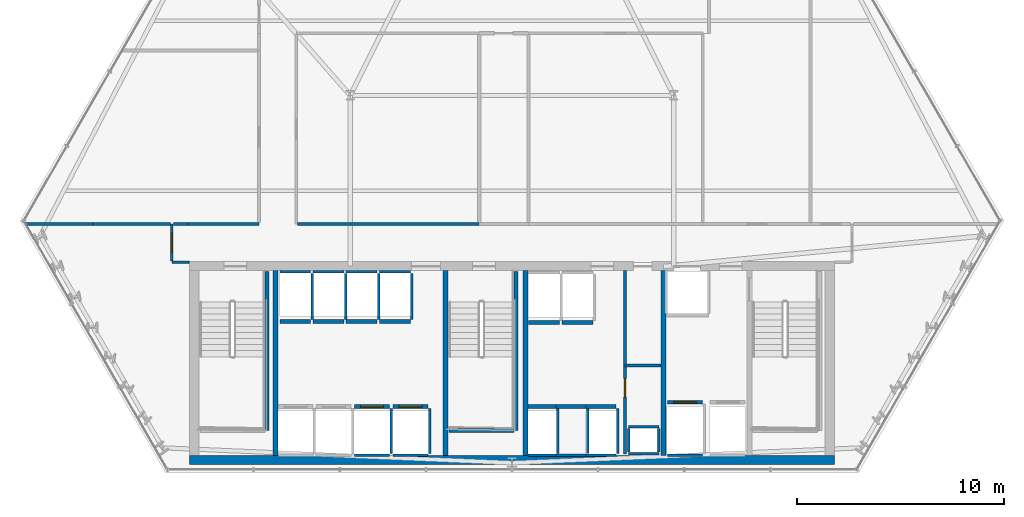
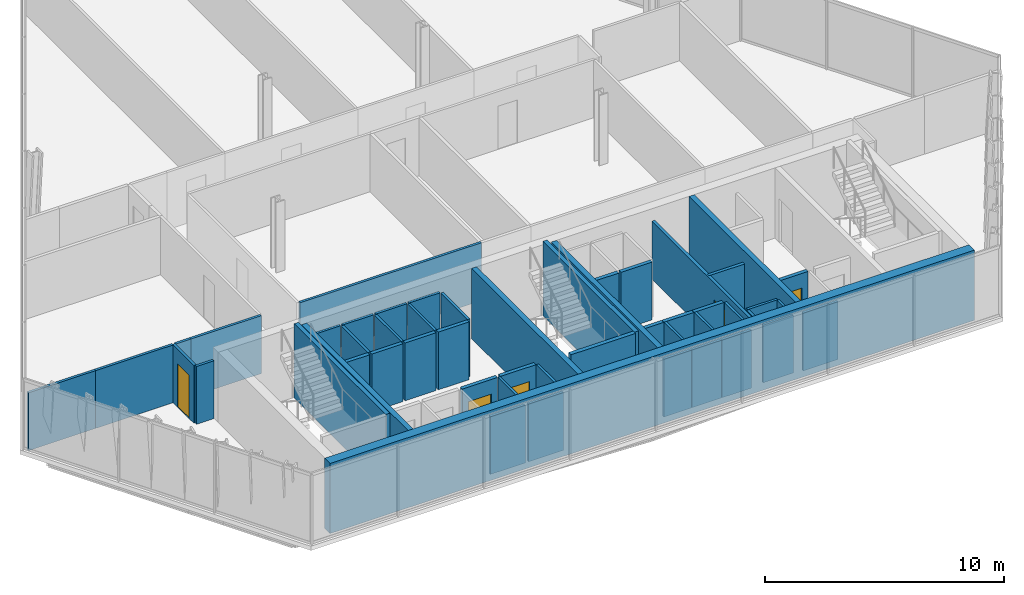
# One storey, part 27 of 32: 52 walls, 5 doors, 5 openings.
"""IFC4 building model written with IfcOpenShell, lengths in metres."""

import ifcopenshell
import ifcopenshell.guid

model = None  # the IFC model being written
_history = None  # IfcOwnerHistory: only IFC2X3 demands one
_inside = {}  # id of a spatial element -> (the spatial element, [elements in it])
_under = {}  # id of a project, library or spatial element -> (it, [spatial elements below it])
_declared = {}  # id of a project -> (the project, [libraries it declares])
_typed = {}  # id of a type object -> (the type object, [elements of that type])
_made_of = {}  # id of a material, layer set ... -> (it, [elements and type objects made of it])


def new_model(schema):
    """Start an empty IFC model of exactly this schema.

    Asked for "IFC4X3", IfcOpenShell would pick the latest addendum, in which some entities
    have other attributes; the version numbers below select the first issue.
    IFC2X3 requires an IfcOwnerHistory on every rooted entity: one is made here for all.
    """
    global model, _history
    if schema == "IFC4X3":
        model = ifcopenshell.file(schema_version=(4, 3, 0, 0))
    else:
        model = ifcopenshell.file(schema=schema)
    _inside.clear()
    _under.clear()
    _declared.clear()
    _typed.clear()
    _made_of.clear()
    _history = None
    if model.schema == "IFC2X3":
        org = make("IfcOrganization", Name="unknown")
        user = make(
            "IfcPersonAndOrganization",
            ThePerson=make("IfcPerson", FamilyName="unknown"),
            TheOrganization=org,
        )
        app = make(
            "IfcApplication",
            ApplicationDeveloper=org,
            Version="unknown",
            ApplicationFullName="unknown",
            ApplicationIdentifier="unknown",
        )
        _history = make(
            "IfcOwnerHistory",
            OwningUser=user,
            OwningApplication=app,
            ChangeAction="ADDED",
            CreationDate=0,
        )
    return model


def make(cls, **values):
    """One entity of the class cls with the attributes given. An attribute that is None is left unset."""
    return model.create_entity(
        cls, **{name: value for name, value in values.items() if value is not None}
    )


def rooted(cls, **values):
    """An entity with a GlobalId (a new one), such as an element, a storey or a relation."""
    return make(cls, GlobalId=ifcopenshell.guid.new(), OwnerHistory=_history, **values)


def si_unit(unit_type, name, prefix=None):
    """IfcSIUnit, for example si_unit("LENGTHUNIT", "METRE", prefix="MILLI")."""
    return make("IfcSIUnit", UnitType=unit_type, Prefix=prefix, Name=name)


def assignment(units):
    """IfcUnitAssignment: the units of a project."""
    return None if units is None else make("IfcUnitAssignment", Units=units)


def point(xyz):
    """IfcCartesianPoint."""
    return None if xyz is None else make("IfcCartesianPoint", Coordinates=xyz)


def direction(xyz):
    """IfcDirection."""
    return None if xyz is None else make("IfcDirection", DirectionRatios=xyz)


def frame(location, z_axis=None, x_axis=None):
    """IfcAxis2Placement3D, a coordinate frame: its origin and axes. An axis left out is left unset."""
    return make(
        "IfcAxis2Placement3D",
        Location=point(location),
        Axis=direction(z_axis),
        RefDirection=direction(x_axis),
    )


def frame_2d(location, x_axis=None):
    """IfcAxis2Placement2D, a coordinate frame in the plane: its origin and x axis."""
    return make(
        "IfcAxis2Placement2D", Location=point(location), RefDirection=direction(x_axis)
    )


def origin():
    """The frame at (0, 0, 0) with its axes left unset."""
    return frame((0.0, 0.0, 0.0))


def place(relative_to, where):
    """IfcLocalPlacement: puts the frame where relative to a parent placement (None: the world)."""
    return make(
        "IfcLocalPlacement", PlacementRelTo=relative_to, RelativePlacement=where
    )


def context(
    kind, dimensions, precision=None, world=None, true_north=None, identifier=None
):
    """IfcGeometricRepresentationContext, for example the 3D "Model" context."""
    return make(
        "IfcGeometricRepresentationContext",
        ContextIdentifier=identifier,
        ContextType=kind,
        CoordinateSpaceDimension=dimensions,
        Precision=precision,
        WorldCoordinateSystem=world,
        TrueNorth=true_north,
    )


def subcontext(parent, identifier, kind, view, scale=None):
    """IfcGeometricRepresentationSubContext, for example "Body" below "Model"."""
    return make(
        "IfcGeometricRepresentationSubContext",
        ContextIdentifier=identifier,
        ContextType=kind,
        ParentContext=parent,
        TargetScale=scale,
        TargetView=view,
    )


def project(units=None, contexts=None):
    """IfcProject with its units and contexts."""
    return rooted(
        "IfcProject",
        Name="project",
        RepresentationContexts=contexts,
        UnitsInContext=assignment(units),
    )


def spatial(cls, under=None, at=None, **own):
    """A site, building, storey or space (cls), placed at a placement, below another one or the project."""
    s = rooted(cls, ObjectPlacement=at, **own)
    if under is not None:
        _under.setdefault(under.id(), (under, []))[1].append(s)
    return s


def profile(cls, at=None, kind="AREA", **sizes):
    """A parametric profile (cls). Its sizes go by their IFC names, for example OverallWidth=200.0."""
    return make(cls, ProfileType=kind, Position=at, **sizes)


def rectangle(**sizes):
    """IfcRectangleProfileDef."""
    return profile("IfcRectangleProfileDef", **sizes)


def extrude(swept, where, along, depth):
    """IfcExtrudedAreaSolid: the profile swept, set in the frame where, extruded along a direction by depth."""
    return make(
        "IfcExtrudedAreaSolid",
        SweptArea=swept,
        Position=where,
        ExtrudedDirection=direction(along),
        Depth=depth,
    )


def shape(context_of_items, identifier, shape_type, items):
    """IfcShapeRepresentation: the items that make up one representation, for example the "Body"."""
    return make(
        "IfcShapeRepresentation",
        ContextOfItems=context_of_items,
        RepresentationIdentifier=identifier,
        RepresentationType=shape_type,
        Items=items,
    )


def material(Name=None, Category=None):
    """IfcMaterial."""
    return make("IfcMaterial", Name=Name, Category=Category)


def layer(
    of_material, thickness, ventilated=None, Name=None, Category=None, Priority=None
):
    """IfcMaterialLayer: one layer of a wall or slab, of a material (None: an air gap)."""
    return make(
        "IfcMaterialLayer",
        Material=of_material,
        LayerThickness=thickness,
        IsVentilated=ventilated,
        Name=Name,
        Category=Category,
        Priority=Priority,
    )


def layer_set(layers, Name=None):
    """IfcMaterialLayerSet."""
    return make("IfcMaterialLayerSet", MaterialLayers=layers, LayerSetName=Name)


def made_of(thing, what):
    """Note that an element or type object is made of a material, layer set ...; save() writes the relation."""
    if what is not None:
        _made_of.setdefault(what.id(), (what, []))[1].append(thing)
    return thing


def type_object(cls, material=None, **own):
    """A type object (cls), such as IfcWallType, which elements share."""
    return made_of(rooted(cls, **own), material)


def element(
    cls,
    number,
    at=None,
    inside=None,
    cuts=None,
    type_object=None,
    material=None,
    context=None,
    identifier="Body",
    shape_type=None,
    held_by="IfcProductDefinitionShape",
    body=None,
    shapes=None,
    **own,
):
    """One element of the class cls, such as IfcWall. Its Tag is "e" and its number.

    at: its placement. inside: the storey or other place that contains it. cuts: it is an
    opening in that element (IfcRelVoidsElement). A single representation is given by context,
    identifier, shape_type and body (its items); several are given by shapes. held_by: the class
    of the entity that holds the representations. save() writes the other relations.
    """
    e = rooted(cls, Tag="e%d" % number, ObjectPlacement=at, **own)
    if body is not None:
        shapes = [shape(context, identifier, shape_type, body)]
    if shapes is not None:
        e.Representation = make(held_by, Representations=shapes)
    if inside is not None:
        _inside.setdefault(inside.id(), (inside, []))[1].append(e)
    if cuts is not None:
        rooted(
            "IfcRelVoidsElement", RelatingBuildingElement=cuts, RelatedOpeningElement=e
        )
    if type_object is not None:
        _typed.setdefault(type_object.id(), (type_object, []))[1].append(e)
    return made_of(e, material)


def fill(opening, filler):
    """IfcRelFillsElement: the door or window that sits in an opening."""
    return rooted(
        "IfcRelFillsElement",
        RelatingOpeningElement=opening,
        RelatedBuildingElement=filler,
    )


def aggregate(whole, parts):
    """IfcRelAggregates: a whole, such as a stair, and the parts it consists of."""
    return rooted("IfcRelAggregates", RelatingObject=whole, RelatedObjects=parts)


def save(model, path):
    """Write the relations noted so far, then the file.

    IfcRelAggregates (storeys below a building ...), IfcRelContainedInSpatialStructure (elements
    in a storey), IfcRelDefinesByType, IfcRelAssociatesMaterial and IfcRelDeclares: one each for
    every whole, place, type object, material and project.
    """
    for whole, parts in _under.values():
        aggregate(whole, parts)
    for where, things in _inside.values():
        rooted(
            "IfcRelContainedInSpatialStructure",
            RelatedElements=things,
            RelatingStructure=where,
        )
    for kind, things in _typed.values():
        rooted("IfcRelDefinesByType", RelatedObjects=things, RelatingType=kind)
    for what, things in _made_of.values():
        rooted("IfcRelAssociatesMaterial", RelatedObjects=things, RelatingMaterial=what)
    for by, libraries in _declared.values():
        rooted("IfcRelDeclares", RelatingContext=by, RelatedDefinitions=libraries)
    model.write(path)


model = new_model("IFC4")

# Units and contexts
model_context = context("Model", 3, precision=1e-05, world=origin(), true_north=direction((0.0, 1.0)))
body_context = subcontext(model_context, "Body", "Model", "MODEL_VIEW")
ifc_project = project(units=[si_unit("LENGTHUNIT", "METRE"), si_unit("AREAUNIT", "SQUARE_METRE"), si_unit("VOLUMEUNIT", "CUBIC_METRE"), si_unit("PLANEANGLEUNIT", "RADIAN"), si_unit("MASSUNIT", "GRAM", prefix="KILO")], contexts=[model_context])

# Site, building, storey
site_placement = place(None, origin())
site = spatial("IfcSite", under=ifc_project, at=site_placement, CompositionType="ELEMENT")
building_placement = place(site_placement, origin())
building = spatial("IfcBuilding", under=site, at=building_placement, Name="Ndaravel Arena Tower", CompositionType="ELEMENT")
storey_placement = place(building_placement, frame((0.0, 0.0, 96.800048828125)))
storey = spatial("IfcBuildingStorey", under=building, at=storey_placement, Name="L22", CompositionType="ELEMENT", Elevation=96.800048828125)

# Wall, opening, door
ifc_material_1 = material(Name="Gypsum", Category="gypsum")
ifc_layer_1 = layer(ifc_material_1, 0.14990234375)
ifc_layer_set_1 = layer_set([ifc_layer_1], Name="Gypsum")
wall_type_1 = type_object("IfcWallType", Name="WALL-COMP-150", PredefinedType="PARTITIONING", material=ifc_layer_set_1)
wall_1_placement = place(storey_placement, frame((47.449951171875, 5.89990234375, 0.0), z_axis=(0.0, 0.0, 1.0), x_axis=(0.0, 1.0, 0.0)))
wall_1 = element("IfcWall", 1, at=wall_1_placement, inside=storey, type_object=wall_type_1, Name="L22 Core Riser Bay Partition", PredefinedType="PARTITIONING", context=body_context, shape_type="SweptSolid", body=[
    extrude(rectangle(XDim=8.85009765625, YDim=0.14990234375, at=frame_2d((4.425048828125, 0.0))), origin(), (0.0, 0.0, 1.0), 2.949951171875),
])
opening_1_placement = place(wall_1_placement, frame((2.75, 0.0, 0.0)))
opening_1 = element("IfcOpeningElement", 2, at=opening_1_placement, cuts=wall_1, Name="Opening RD-01", PredefinedType="OPENING", context=body_context, shape_type="SweptSolid", body=[
    extrude(rectangle(XDim=0.89990234375, YDim=2.10009765625, at=frame_2d((0.449951171875, 1.050048828125))), frame((0.0, 0.074951171875, 0.0), z_axis=(0.0, -1.0, 0.0), x_axis=(1.0, 0.0, 0.0)), (0.0, 0.0, 1.0), 0.14990234375),
])
ifc_material_2 = material(Name="Steel S355", Category="steel")
door_type_1 = type_object("IfcDoorType", Name="DT-08-RISER-900", OperationType="SINGLE_SWING_LEFT", PredefinedType="DOOR", material=ifc_material_2)
door_1_placement = place(opening_1_placement, origin())
door_1 = element("IfcDoor", 3, at=door_1_placement, inside=storey, type_object=door_type_1, Name="L22 Electrical Riser Door", OperationType="SINGLE_SWING_RIGHT", OverallHeight=2.10009765625, OverallWidth=0.89990234375, PredefinedType="DOOR", context=body_context, shape_type="SweptSolid", body=[
    extrude(rectangle(XDim=0.89990234375, YDim=2.10009765625, at=frame_2d((0.449951171875, 1.050048828125))), frame((0.0, 0.02490234375, 0.0), z_axis=(0.0, -1.0, 0.0), x_axis=(1.0, 0.0, 0.0)), (0.0, 0.0, 1.0), 0.050048828125),
])
fill(opening_1, door_1)

# Walls
wall_2_placement = place(storey_placement, frame((47.449951171875, 10.179931640625, 0.0), z_axis=(0.0, 0.0, 1.0), x_axis=(1.0, 0.0, 0.0)))
element("IfcWall", 4, at=wall_2_placement, inside=storey, type_object=wall_type_1, Name="L22 Core Riser Divider 1", PredefinedType="PARTITIONING", context=body_context, shape_type="SweptSolid", body=[
    extrude(rectangle(XDim=1.72998046875, YDim=0.14990234375, at=frame_2d((0.864990234375, 0.0))), origin(), (0.0, 0.0, 1.0), 2.949951171875),
])
ifc_material_3 = material(Name="Concrete C60/75", Category="concrete")
ifc_layer_2 = layer(ifc_material_3, 0.25)
ifc_layer_set_2 = layer_set([ifc_layer_2], Name="Concrete C60/75")
wall_type_2 = type_object("IfcWallType", Name="WALL-CORE-250", PredefinedType="SOLIDWALL", material=ifc_layer_set_2)
for number, where, z_axis, x_axis, name in (
    (5, (30.60009765625, 5.85009765625, 0.0), (0.0, 0.0, 1.0), (0.0, 1.0, 0.0), "L22 Core Web Shear Wall 1"),
    (6, (38.800048828125, 5.85009765625, 0.0), (0.0, 0.0, 1.0), (0.0, 1.0, 0.0), "L22 Core Web Shear Wall 2"),
    (7, (42.64990234375, 5.85009765625, 0.0), (0.0, 0.0, 1.0), (0.0, 1.0, 0.0), "L22 Core Web Shear Wall 3"),
    (8, (49.300048828125, 5.85009765625, 0.0), (0.0, 0.0, 1.0), (0.0, 1.0, 0.0), "L22 Core Web Shear Wall 4"),
):
    element("IfcWall", number, at=place(storey_placement, frame(where, z_axis=z_axis, x_axis=x_axis)), inside=storey, type_object=wall_type_2, Name=name, PredefinedType="SOLIDWALL", context=body_context, shape_type="SweptSolid", body=[
        extrude(rectangle(XDim=8.89990234375, YDim=0.25, at=frame_2d((4.449951171875, 0.0))), origin(), (0.0, 0.0, 1.0), 3.579833984375),
    ])
ifc_material_4 = material(Name="Concrete C60/75", Category="concrete")
ifc_layer_3 = layer(ifc_material_4, 0.449951171875)
ifc_layer_set_3 = layer_set([ifc_layer_3], Name="Concrete C60/75")
wall_type_3 = type_object("IfcWallType", Name="WALL-CORE-450", PredefinedType="SOLIDWALL", material=ifc_layer_set_3)
wall_3_placement = place(storey_placement, frame((26.449951171875, 5.625, 0.0), z_axis=(0.0, 0.0, 1.0), x_axis=(1.0, 0.0, 0.0)))
element("IfcWall", 9, at=wall_3_placement, inside=storey, type_object=wall_type_3, Name="L22 Core South Shear Wall", PredefinedType="SOLIDWALL", context=body_context, shape_type="SweptSolid", body=[
    extrude(rectangle(XDim=31.10009765625, YDim=0.449951171875, at=frame_2d((15.550048828125, 0.0))), origin(), (0.0, 0.0, 1.0), 3.579833984375),
])
ifc_material_5 = material(Name="Gypsum", Category="gypsum")
ifc_layer_4 = layer(ifc_material_5, 0.125)
ifc_layer_set_4 = layer_set([ifc_layer_4], Name="Gypsum")
wall_type_4 = type_object("IfcWallType", Name="WALL-PART-125", PredefinedType="PARTITIONING", material=ifc_layer_set_4)
wall_4_placement = place(storey_placement, frame((26.449951171875, 15.14990234375, 0.0), z_axis=(0.0, 0.0, 1.0), x_axis=(-1.0, 0.0, 0.0)))
element("IfcWall", 10, at=wall_4_placement, inside=storey, type_object=wall_type_4, Name="L22 Interior Partition 003", PredefinedType="PARTITIONING", context=body_context, shape_type="SweptSolid", body=[
    extrude(rectangle(XDim=0.849853515625, YDim=0.125, at=frame_2d((0.4248046875, 0.0))), origin(), (0.0, 0.0, 1.0), 2.949951171875),
])

# Wall, opening, door
wall_5_placement = place(storey_placement, frame((25.60009765625, 15.215087890625, 0.0), z_axis=(0.0, 0.0, 1.0), x_axis=(0.0, 1.0, 0.0)))
wall_5 = element("IfcWall", 11, at=wall_5_placement, inside=storey, type_object=wall_type_4, Name="L22 Interior Partition 004", PredefinedType="PARTITIONING", context=body_context, shape_type="SweptSolid", body=[
    extrude(rectangle(XDim=1.784912109375, YDim=0.125, at=frame_2d((0.892578125, 0.0))), origin(), (0.0, 0.0, 1.0), 2.949951171875),
])
opening_2_placement = place(wall_5_placement, frame((0.41748046875, 0.0, 0.0)))
opening_2 = element("IfcOpeningElement", 12, at=opening_2_placement, cuts=wall_5, Name="Opening ID-01", PredefinedType="OPENING", context=body_context, shape_type="SweptSolid", body=[
    extrude(rectangle(XDim=0.949951171875, YDim=2.199951171875, at=frame_2d((0.47509765625, 1.10009765625))), frame((0.0, 0.0625, 0.0), z_axis=(0.0, -1.0, 0.0), x_axis=(1.0, 0.0, 0.0)), (0.0, 0.0, 1.0), 0.125),
])
ifc_material_6 = material(Name="Timber", Category="wood")
door_type_2 = type_object("IfcDoorType", Name="DT-03-OFFICE-950", OperationType="SINGLE_SWING_LEFT", PredefinedType="DOOR", material=ifc_material_6)
door_2_placement = place(opening_2_placement, origin())
door_2 = element("IfcDoor", 13, at=door_2_placement, inside=storey, type_object=door_type_2, Name="L22 Open Plan Workplace Door", OperationType="SINGLE_SWING_LEFT", OverallHeight=2.199951171875, OverallWidth=0.949951171875, PredefinedType="DOOR", context=body_context, shape_type="SweptSolid", body=[
    extrude(rectangle(XDim=0.949951171875, YDim=2.199951171875, at=frame_2d((0.47509765625, 1.10009765625))), frame((0.0, 0.02490234375, 0.0), z_axis=(0.0, -1.0, 0.0), x_axis=(1.0, 0.0, 0.0)), (0.0, 0.0, 1.0), 0.050048828125),
])
fill(opening_2, door_2)

# Walls
wall_6_placement = place(storey_placement, frame((25.6650390625, 17.0, 0.0), z_axis=(0.0, 0.0, 1.0), x_axis=(1.0, 0.0, 0.0)))
element("IfcWall", 14, at=wall_6_placement, inside=storey, type_object=wall_type_4, Name="L22 Interior Partition 005", PredefinedType="PARTITIONING", context=body_context, shape_type="SweptSolid", body=[
    extrude(rectangle(XDim=0.73486328125, YDim=0.125, at=frame_2d((0.367431640625, 0.0))), origin(), (0.0, 0.0, 1.0), 2.949951171875),
])
wall_7_placement = place(storey_placement, frame((26.39990234375, 17.0, 0.0), z_axis=(0.0, 0.0, 1.0), x_axis=(1.0, 0.0, 0.0)))
element("IfcWall", 15, at=wall_7_placement, inside=storey, type_object=wall_type_4, Name="L22 Interior Partition 006", PredefinedType="PARTITIONING", context=body_context, shape_type="SweptSolid", body=[
    extrude(rectangle(XDim=3.400146484375, YDim=0.125, at=frame_2d((1.7001953125, 0.0))), origin(), (0.0, 0.0, 1.0), 2.949951171875),
])
wall_8_placement = place(storey_placement, frame((31.6650390625, 17.0, 0.0), z_axis=(0.0, 0.0, 1.0), x_axis=(1.0, 0.0, 0.0)))
element("IfcWall", 16, at=wall_8_placement, inside=storey, type_object=wall_type_4, Name="L22 Interior Partition 020", PredefinedType="PARTITIONING", context=body_context, shape_type="SweptSolid", body=[
    extrude(rectangle(XDim=8.7548828125, YDim=0.125, at=frame_2d((4.37744140625, 0.0))), origin(), (0.0, 0.0, 1.0), 2.949951171875),
])
wall_9_placement = place(storey_placement, frame((18.5517578125, 17.0, 0.0), z_axis=(0.0, 0.0, 1.0), x_axis=(1.0, 0.0, 0.0)))
element("IfcWall", 17, at=wall_9_placement, inside=storey, type_object=wall_type_4, Name="L22 Interior Partition 025", PredefinedType="PARTITIONING", context=body_context, shape_type="SweptSolid", body=[
    extrude(rectangle(XDim=3.248291015625, YDim=0.125, at=frame_2d((1.6240234375, 0.0))), origin(), (0.0, 0.0, 1.0), 2.949951171875),
])
wall_10_placement = place(storey_placement, frame((21.800048828125, 17.0, 0.0), z_axis=(0.0, 0.0, 1.0), x_axis=(1.0, 0.0, 0.0)))
element("IfcWall", 18, at=wall_10_placement, inside=storey, type_object=wall_type_4, Name="L22 Interior Partition 026", PredefinedType="PARTITIONING", context=body_context, shape_type="SweptSolid", body=[
    extrude(rectangle(XDim=3.73486328125, YDim=0.125, at=frame_2d((1.867431640625, 0.0))), origin(), (0.0, 0.0, 1.0), 2.949951171875),
])
ifc_material_7 = material(Name="Concrete C40/50", Category="concrete")
ifc_layer_5 = layer(ifc_material_7, 0.1201171875)
ifc_layer_set_5 = layer_set([ifc_layer_5], Name="Concrete C40/50")
wall_type_5 = type_object("IfcWallType", Name="WALL-SHAFT-120", PredefinedType="SOLIDWALL", material=ifc_layer_set_5)
for number, where, z_axis, x_axis, name in (
    (19, (47.6201171875, 5.919921875, 0.0), (0.0, 0.0, 1.0), (1.0, 0.0, 0.0), "L22 MEP Riser Shaft S Wall"),
    (20, (47.6201171875, 7.219970703125, 0.0), (0.0, 0.0, 1.0), (1.0, 0.0, 0.0), "L22 MEP Riser Shaft N Wall"),
):
    element("IfcWall", number, at=place(storey_placement, frame(where, z_axis=z_axis, x_axis=x_axis)), inside=storey, type_object=wall_type_5, Name=name, PredefinedType="SOLIDWALL", context=body_context, shape_type="SweptSolid", body=[
        extrude(rectangle(XDim=1.4599609375, YDim=0.1201171875, at=frame_2d((0.72998046875, 0.0))), origin(), (0.0, 0.0, 1.0), 2.949951171875),
    ])
for number, where, z_axis, x_axis, name in (
    (21, (47.6201171875, 6.0, 0.0), (0.0, 0.0, 1.0), (0.0, 1.0, 0.0), "L22 MEP Riser Shaft W Wall"),
    (22, (49.080078125, 6.0, 0.0), (0.0, 0.0, 1.0), (0.0, 1.0, 0.0), "L22 MEP Riser Shaft E Wall"),
):
    element("IfcWall", number, at=place(storey_placement, frame(where, z_axis=z_axis, x_axis=x_axis)), inside=storey, type_object=wall_type_5, Name=name, PredefinedType="SOLIDWALL", context=body_context, shape_type="SweptSolid", body=[
        extrude(rectangle(XDim=1.139892578125, YDim=0.1201171875, at=frame_2d((0.56982421875, 0.0))), origin(), (0.0, 0.0, 1.0), 2.949951171875),
    ])
wall_11_placement = place(storey_placement, frame((34.405029296875, 5.840087890625, 0.0), z_axis=(0.0, 0.0, 1.0), x_axis=(1.0, 0.0, 0.0)))
element("IfcWall", 23, at=wall_11_placement, inside=storey, type_object=wall_type_5, Name="L22 PL-L3 Shaft Rear Wall", PredefinedType="SOLIDWALL", context=body_context, shape_type="SweptSolid", body=[
    extrude(rectangle(XDim=1.68994140625, YDim=0.1201171875, at=frame_2d((0.844970703125, 0.0))), origin(), (0.0, 0.0, 1.0), 2.949951171875),
])
wall_12_placement = place(storey_placement, frame((36.175048828125, 5.929931640625, 0.0), z_axis=(0.0, 0.0, 1.0), x_axis=(0.0, 1.0, 0.0)))
element("IfcWall", 24, at=wall_12_placement, inside=storey, type_object=wall_type_5, Name="L22 PL-L3 Shaft Side R Wall", PredefinedType="SOLIDWALL", context=body_context, shape_type="SweptSolid", body=[
    extrude(rectangle(XDim=2.18017578125, YDim=0.1201171875, at=frame_2d((1.090087890625, 0.0))), origin(), (0.0, 0.0, 1.0), 2.949951171875),
])
wall_13_placement = place(storey_placement, frame((36.2548828125, 5.840087890625, 0.0), z_axis=(0.0, 0.0, 1.0), x_axis=(1.0, 0.0, 0.0)))
element("IfcWall", 25, at=wall_13_placement, inside=storey, type_object=wall_type_5, Name="L22 PL-L4 Shaft Rear Wall", PredefinedType="SOLIDWALL", context=body_context, shape_type="SweptSolid", body=[
    extrude(rectangle(XDim=1.690185546875, YDim=0.1201171875, at=frame_2d((0.84521484375, 0.0))), origin(), (0.0, 0.0, 1.0), 2.949951171875),
])
wall_14_placement = place(storey_placement, frame((38.02490234375, 5.929931640625, 0.0), z_axis=(0.0, 0.0, 1.0), x_axis=(0.0, 1.0, 0.0)))
element("IfcWall", 26, at=wall_14_placement, inside=storey, type_object=wall_type_5, Name="L22 PL-L4 Shaft Side R Wall", PredefinedType="SOLIDWALL", context=body_context, shape_type="SweptSolid", body=[
    extrude(rectangle(XDim=2.18017578125, YDim=0.1201171875, at=frame_2d((1.090087890625, 0.0))), origin(), (0.0, 0.0, 1.0), 2.949951171875),
])
wall_15_placement = place(storey_placement, frame((30.804931640625, 14.7099609375, 0.0), z_axis=(0.0, 0.0, 1.0), x_axis=(1.0, 0.0, 0.0)))
element("IfcWall", 27, at=wall_15_placement, inside=storey, type_object=wall_type_5, Name="L22 PL-M1 Shaft Rear Wall", PredefinedType="SOLIDWALL", context=body_context, shape_type="SweptSolid", body=[
    extrude(rectangle(XDim=1.489990234375, YDim=0.1201171875, at=frame_2d((0.7451171875, 0.0))), origin(), (0.0, 0.0, 1.0), 2.949951171875),
])
wall_16_placement = place(storey_placement, frame((32.375, 12.389892578125, 0.0), z_axis=(0.0, 0.0, 1.0), x_axis=(0.0, 1.0, 0.0)))
element("IfcWall", 28, at=wall_16_placement, inside=storey, type_object=wall_type_5, Name="L22 PL-M1 Shaft Side R Wall", PredefinedType="SOLIDWALL", context=body_context, shape_type="SweptSolid", body=[
    extrude(rectangle(XDim=2.230224609375, YDim=0.1201171875, at=frame_2d((1.115234375, 0.0))), origin(), (0.0, 0.0, 1.0), 2.949951171875),
])
wall_17_placement = place(storey_placement, frame((32.405029296875, 14.7099609375, 0.0), z_axis=(0.0, 0.0, 1.0), x_axis=(1.0, 0.0, 0.0)))
element("IfcWall", 29, at=wall_17_placement, inside=storey, type_object=wall_type_5, Name="L22 PL-M2 Shaft Rear Wall", PredefinedType="SOLIDWALL", context=body_context, shape_type="SweptSolid", body=[
    extrude(rectangle(XDim=1.489990234375, YDim=0.1201171875, at=frame_2d((0.7451171875, 0.0))), origin(), (0.0, 0.0, 1.0), 2.949951171875),
])
wall_18_placement = place(storey_placement, frame((33.97509765625, 12.389892578125, 0.0), z_axis=(0.0, 0.0, 1.0), x_axis=(0.0, 1.0, 0.0)))
element("IfcWall", 30, at=wall_18_placement, inside=storey, type_object=wall_type_5, Name="L22 PL-M2 Shaft Side R Wall", PredefinedType="SOLIDWALL", context=body_context, shape_type="SweptSolid", body=[
    extrude(rectangle(XDim=2.230224609375, YDim=0.1201171875, at=frame_2d((1.115234375, 0.0))), origin(), (0.0, 0.0, 1.0), 2.949951171875),
])
wall_19_placement = place(storey_placement, frame((34.0048828125, 14.7099609375, 0.0), z_axis=(0.0, 0.0, 1.0), x_axis=(1.0, 0.0, 0.0)))
element("IfcWall", 31, at=wall_19_placement, inside=storey, type_object=wall_type_5, Name="L22 PL-M3 Shaft Rear Wall", PredefinedType="SOLIDWALL", context=body_context, shape_type="SweptSolid", body=[
    extrude(rectangle(XDim=1.490234375, YDim=0.1201171875, at=frame_2d((0.7451171875, 0.0))), origin(), (0.0, 0.0, 1.0), 2.949951171875),
])
wall_20_placement = place(storey_placement, frame((35.574951171875, 12.389892578125, 0.0), z_axis=(0.0, 0.0, 1.0), x_axis=(0.0, 1.0, 0.0)))
element("IfcWall", 32, at=wall_20_placement, inside=storey, type_object=wall_type_5, Name="L22 PL-M3 Shaft Side R Wall", PredefinedType="SOLIDWALL", context=body_context, shape_type="SweptSolid", body=[
    extrude(rectangle(XDim=2.230224609375, YDim=0.1201171875, at=frame_2d((1.115234375, 0.0))), origin(), (0.0, 0.0, 1.0), 2.949951171875),
])
wall_21_placement = place(storey_placement, frame((35.60498046875, 14.7099609375, 0.0), z_axis=(0.0, 0.0, 1.0), x_axis=(1.0, 0.0, 0.0)))
element("IfcWall", 33, at=wall_21_placement, inside=storey, type_object=wall_type_5, Name="L22 PL-M4 Shaft Rear Wall", PredefinedType="SOLIDWALL", context=body_context, shape_type="SweptSolid", body=[
    extrude(rectangle(XDim=1.489990234375, YDim=0.1201171875, at=frame_2d((0.7451171875, 0.0))), origin(), (0.0, 0.0, 1.0), 2.949951171875),
])
wall_22_placement = place(storey_placement, frame((37.175048828125, 12.389892578125, 0.0), z_axis=(0.0, 0.0, 1.0), x_axis=(0.0, 1.0, 0.0)))
element("IfcWall", 34, at=wall_22_placement, inside=storey, type_object=wall_type_5, Name="L22 PL-M4 Shaft Side R Wall", PredefinedType="SOLIDWALL", context=body_context, shape_type="SweptSolid", body=[
    extrude(rectangle(XDim=2.230224609375, YDim=0.1201171875, at=frame_2d((1.115234375, 0.0))), origin(), (0.0, 0.0, 1.0), 2.949951171875),
])
wall_23_placement = place(storey_placement, frame((42.780029296875, 5.840087890625, 0.0), z_axis=(0.0, 0.0, 1.0), x_axis=(1.0, 0.0, 0.0)))
element("IfcWall", 35, at=wall_23_placement, inside=storey, type_object=wall_type_5, Name="L22 PL-H1 Shaft Rear Wall", PredefinedType="SOLIDWALL", context=body_context, shape_type="SweptSolid", body=[
    extrude(rectangle(XDim=1.340087890625, YDim=0.1201171875, at=frame_2d((0.669921875, 0.0))), origin(), (0.0, 0.0, 1.0), 2.949951171875),
])
wall_24_placement = place(storey_placement, frame((44.199951171875, 5.929931640625, 0.0), z_axis=(0.0, 0.0, 1.0), x_axis=(0.0, 1.0, 0.0)))
element("IfcWall", 36, at=wall_24_placement, inside=storey, type_object=wall_type_5, Name="L22 PL-H1 Shaft Side R Wall", PredefinedType="SOLIDWALL", context=body_context, shape_type="SweptSolid", body=[
    extrude(rectangle(XDim=2.18017578125, YDim=0.1201171875, at=frame_2d((1.090087890625, 0.0))), origin(), (0.0, 0.0, 1.0), 2.949951171875),
])
wall_25_placement = place(storey_placement, frame((44.1298828125, 5.840087890625, 0.0), z_axis=(0.0, 0.0, 1.0), x_axis=(1.0, 0.0, 0.0)))
element("IfcWall", 37, at=wall_25_placement, inside=storey, type_object=wall_type_5, Name="L22 PL-H2 Shaft Rear Wall", PredefinedType="SOLIDWALL", context=body_context, shape_type="SweptSolid", body=[
    extrude(rectangle(XDim=1.440185546875, YDim=0.1201171875, at=frame_2d((0.72021484375, 0.0))), origin(), (0.0, 0.0, 1.0), 2.949951171875),
])
wall_26_placement = place(storey_placement, frame((45.64990234375, 5.929931640625, 0.0), z_axis=(0.0, 0.0, 1.0), x_axis=(0.0, 1.0, 0.0)))
element("IfcWall", 38, at=wall_26_placement, inside=storey, type_object=wall_type_5, Name="L22 PL-H2 Shaft Side R Wall", PredefinedType="SOLIDWALL", context=body_context, shape_type="SweptSolid", body=[
    extrude(rectangle(XDim=2.18017578125, YDim=0.1201171875, at=frame_2d((1.090087890625, 0.0))), origin(), (0.0, 0.0, 1.0), 2.949951171875),
])
wall_27_placement = place(storey_placement, frame((45.580078125, 5.840087890625, 0.0), z_axis=(0.0, 0.0, 1.0), x_axis=(1.0, 0.0, 0.0)))
element("IfcWall", 39, at=wall_27_placement, inside=storey, type_object=wall_type_5, Name="L22 PL-H3 Shaft Rear Wall", PredefinedType="SOLIDWALL", context=body_context, shape_type="SweptSolid", body=[
    extrude(rectangle(XDim=1.43994140625, YDim=0.1201171875, at=frame_2d((0.719970703125, 0.0))), origin(), (0.0, 0.0, 1.0), 2.949951171875),
])
wall_28_placement = place(storey_placement, frame((47.10009765625, 5.929931640625, 0.0), z_axis=(0.0, 0.0, 1.0), x_axis=(0.0, 1.0, 0.0)))
element("IfcWall", 40, at=wall_28_placement, inside=storey, type_object=wall_type_5, Name="L22 PL-H3 Shaft Side R Wall", PredefinedType="SOLIDWALL", context=body_context, shape_type="SweptSolid", body=[
    extrude(rectangle(XDim=2.18017578125, YDim=0.1201171875, at=frame_2d((1.090087890625, 0.0))), origin(), (0.0, 0.0, 1.0), 2.949951171875),
])
wall_29_placement = place(storey_placement, frame((49.5048828125, 5.840087890625, 0.0), z_axis=(0.0, 0.0, 1.0), x_axis=(1.0, 0.0, 0.0)))
element("IfcWall", 41, at=wall_29_placement, inside=storey, type_object=wall_type_5, Name="L22 FFL-1 Shaft Rear Wall", PredefinedType="SOLIDWALL", context=body_context, shape_type="SweptSolid", body=[
    extrude(rectangle(XDim=1.690185546875, YDim=0.1201171875, at=frame_2d((0.84521484375, 0.0))), origin(), (0.0, 0.0, 1.0), 2.949951171875),
])
ifc_material_8 = material(Name="Concrete C40/50", Category="concrete")
ifc_layer_6 = layer(ifc_material_8, 0.199951171875)
ifc_layer_set_6 = layer_set([ifc_layer_6], Name="Concrete C40/50")
wall_type_6 = type_object("IfcWallType", Name="WALL-SHAFT-200", PredefinedType="SOLIDWALL", material=ifc_layer_set_6)
for number, where, z_axis, x_axis, name in (
    (42, (30.18994140625, 14.699951171875, 0.0), (0.0, 0.0, 1.0), (0.0, -1.0, 0.0), "L22 ST-1 Structural Shaft Wall Right"),
    (43, (42.18994140625, 14.699951171875, 0.0), (0.0, 0.0, 1.0), (0.0, -1.0, 0.0), "L22 ST-2 Structural Shaft Wall Right"),
):
    element("IfcWall", number, at=place(storey_placement, frame(where, z_axis=z_axis, x_axis=x_axis)), inside=storey, type_object=wall_type_6, Name=name, PredefinedType="SOLIDWALL", context=body_context, shape_type="SweptSolid", body=[
        extrude(rectangle(XDim=7.64990234375, YDim=0.199951171875, at=frame_2d((3.824951171875, 0.0))), origin(), (0.0, 0.0, 1.0), 3.800048828125),
    ])
wall_30_placement = place(storey_placement, frame((38.969970703125, 7.050048828125, 0.0), z_axis=(0.0, 0.0, 1.0), x_axis=(1.0, 0.0, 0.0)))
element("IfcWall", 44, at=wall_30_placement, inside=storey, type_object=wall_type_6, Name="L22 ST-2 Structural Shaft Wall Far", PredefinedType="SOLIDWALL", context=body_context, shape_type="SweptSolid", body=[
    extrude(rectangle(XDim=3.114990234375, YDim=0.199951171875, at=frame_2d((1.5576171875, 0.0))), origin(), (0.0, 0.0, 1.0), 3.800048828125),
])

# Wall, opening, door
wall_31_placement = place(storey_placement, frame((34.405029296875, 8.199951171875, 0.0), z_axis=(0.0, 0.0, 1.0), x_axis=(1.0, 0.0, 0.0)))
wall_31 = element("IfcWall", 45, at=wall_31_placement, inside=storey, type_object=wall_type_6, Name="L22 PL-L3 Shaft Landing Wall", PredefinedType="SOLIDWALL", context=body_context, shape_type="SweptSolid", body=[
    extrude(rectangle(XDim=1.68994140625, YDim=0.179931640625, at=frame_2d((0.844970703125, 0.0))), origin(), (0.0, 0.0, 1.0), 2.949951171875),
])
opening_3_placement = place(wall_31_placement, frame((0.294921875, 0.0, 0.0)))
opening_3 = element("IfcOpeningElement", 46, at=opening_3_placement, cuts=wall_31, Name="Opening LD-01", PredefinedType="OPENING", context=body_context, shape_type="SweptSolid", body=[
    extrude(rectangle(XDim=1.10009765625, YDim=2.199951171875, at=frame_2d((0.550048828125, 1.10009765625))), frame((0.0, 0.08984375, 0.0), z_axis=(0.0, -1.0, 0.0), x_axis=(1.0, 0.0, 0.0)), (0.0, 0.0, 1.0), 0.179931640625),
])
ifc_material_9 = material(Name="Steel S355", Category="steel")
door_type_3 = type_object("IfcDoorType", Name="DT-06-LIFT-1100", OperationType="SLIDING_TO_LEFT", PredefinedType="DOOR", material=ifc_material_9)
door_3_placement = place(opening_3_placement, origin())
door_3 = element("IfcDoor", 47, at=door_3_placement, inside=storey, type_object=door_type_3, Name="L22 Lift PL-L3 Sliding Landing Door", OperationType="SLIDING_TO_LEFT", OverallHeight=2.199951171875, OverallWidth=1.10009765625, PredefinedType="DOOR", context=body_context, shape_type="SweptSolid", body=[
    extrude(rectangle(XDim=1.10009765625, YDim=2.199951171875, at=frame_2d((0.550048828125, 1.10009765625))), frame((0.0, 0.02490234375, 0.0), z_axis=(0.0, -1.0, 0.0), x_axis=(1.0, 0.0, 0.0)), (0.0, 0.0, 1.0), 0.050048828125),
])
fill(opening_3, door_3)

wall_32_placement = place(storey_placement, frame((36.2548828125, 8.199951171875, 0.0), z_axis=(0.0, 0.0, 1.0), x_axis=(1.0, 0.0, 0.0)))
wall_32 = element("IfcWall", 48, at=wall_32_placement, inside=storey, type_object=wall_type_6, Name="L22 PL-L4 Shaft Landing Wall", PredefinedType="SOLIDWALL", context=body_context, shape_type="SweptSolid", body=[
    extrude(rectangle(XDim=1.690185546875, YDim=0.179931640625, at=frame_2d((0.84521484375, 0.0))), origin(), (0.0, 0.0, 1.0), 2.949951171875),
])
opening_4_placement = place(wall_32_placement, frame((0.294921875, 0.0, 0.0)))
opening_4 = element("IfcOpeningElement", 49, at=opening_4_placement, cuts=wall_32, Name="Opening LD-01", PredefinedType="OPENING", context=body_context, shape_type="SweptSolid", body=[
    extrude(rectangle(XDim=1.10009765625, YDim=2.199951171875, at=frame_2d((0.550048828125, 1.10009765625))), frame((0.0, 0.08984375, 0.0), z_axis=(0.0, -1.0, 0.0), x_axis=(1.0, 0.0, 0.0)), (0.0, 0.0, 1.0), 0.179931640625),
])
door_4_placement = place(opening_4_placement, origin())
door_4 = element("IfcDoor", 50, at=door_4_placement, inside=storey, type_object=door_type_3, Name="L22 Lift PL-L4 Sliding Landing Door", OperationType="SLIDING_TO_LEFT", OverallHeight=2.199951171875, OverallWidth=1.10009765625, PredefinedType="DOOR", context=body_context, shape_type="SweptSolid", body=[
    extrude(rectangle(XDim=1.10009765625, YDim=2.199951171875, at=frame_2d((0.550048828125, 1.10009765625))), frame((0.0, 0.02490234375, 0.0), z_axis=(0.0, -1.0, 0.0), x_axis=(1.0, 0.0, 0.0)), (0.0, 0.0, 1.0), 0.050048828125),
])
fill(opening_4, door_4)

# Walls
for number, where, z_axis, x_axis, name in (
    (51, (30.804931640625, 12.300048828125, 0.0), (0.0, 0.0, 1.0), (1.0, 0.0, 0.0), "L22 PL-M1 Shaft Landing Wall"),
    (52, (32.405029296875, 12.300048828125, 0.0), (0.0, 0.0, 1.0), (1.0, 0.0, 0.0), "L22 PL-M2 Shaft Landing Wall"),
):
    element("IfcWall", number, at=place(storey_placement, frame(where, z_axis=z_axis, x_axis=x_axis)), inside=storey, type_object=wall_type_6, Name=name, PredefinedType="SOLIDWALL", context=body_context, shape_type="SweptSolid", body=[
        extrude(rectangle(XDim=1.489990234375, YDim=0.179931640625, at=frame_2d((0.7451171875, 0.0))), origin(), (0.0, 0.0, 1.0), 2.949951171875),
    ])
wall_33_placement = place(storey_placement, frame((34.0048828125, 12.300048828125, 0.0), z_axis=(0.0, 0.0, 1.0), x_axis=(1.0, 0.0, 0.0)))
element("IfcWall", 53, at=wall_33_placement, inside=storey, type_object=wall_type_6, Name="L22 PL-M3 Shaft Landing Wall", PredefinedType="SOLIDWALL", context=body_context, shape_type="SweptSolid", body=[
    extrude(rectangle(XDim=1.490234375, YDim=0.179931640625, at=frame_2d((0.7451171875, 0.0))), origin(), (0.0, 0.0, 1.0), 2.949951171875),
])
wall_34_placement = place(storey_placement, frame((35.60498046875, 12.300048828125, 0.0), z_axis=(0.0, 0.0, 1.0), x_axis=(1.0, 0.0, 0.0)))
element("IfcWall", 54, at=wall_34_placement, inside=storey, type_object=wall_type_6, Name="L22 PL-M4 Shaft Landing Wall", PredefinedType="SOLIDWALL", context=body_context, shape_type="SweptSolid", body=[
    extrude(rectangle(XDim=1.489990234375, YDim=0.179931640625, at=frame_2d((0.7451171875, 0.0))), origin(), (0.0, 0.0, 1.0), 2.949951171875),
])
wall_35_placement = place(storey_placement, frame((42.780029296875, 8.199951171875, 0.0), z_axis=(0.0, 0.0, 1.0), x_axis=(1.0, 0.0, 0.0)))
element("IfcWall", 55, at=wall_35_placement, inside=storey, type_object=wall_type_6, Name="L22 PL-H1 Shaft Landing Wall", PredefinedType="SOLIDWALL", context=body_context, shape_type="SweptSolid", body=[
    extrude(rectangle(XDim=1.340087890625, YDim=0.179931640625, at=frame_2d((0.669921875, 0.0))), origin(), (0.0, 0.0, 1.0), 2.949951171875),
])
wall_36_placement = place(storey_placement, frame((44.1298828125, 8.199951171875, 0.0), z_axis=(0.0, 0.0, 1.0), x_axis=(1.0, 0.0, 0.0)))
element("IfcWall", 56, at=wall_36_placement, inside=storey, type_object=wall_type_6, Name="L22 PL-H2 Shaft Landing Wall", PredefinedType="SOLIDWALL", context=body_context, shape_type="SweptSolid", body=[
    extrude(rectangle(XDim=1.440185546875, YDim=0.179931640625, at=frame_2d((0.72021484375, 0.0))), origin(), (0.0, 0.0, 1.0), 2.949951171875),
])
wall_37_placement = place(storey_placement, frame((45.580078125, 8.199951171875, 0.0), z_axis=(0.0, 0.0, 1.0), x_axis=(1.0, 0.0, 0.0)))
element("IfcWall", 57, at=wall_37_placement, inside=storey, type_object=wall_type_6, Name="L22 PL-H3 Shaft Landing Wall", PredefinedType="SOLIDWALL", context=body_context, shape_type="SweptSolid", body=[
    extrude(rectangle(XDim=1.43994140625, YDim=0.179931640625, at=frame_2d((0.719970703125, 0.0))), origin(), (0.0, 0.0, 1.0), 2.949951171875),
])
for number, where, z_axis, x_axis, name in (
    (58, (42.804931640625, 12.25, 0.0), (0.0, 0.0, 1.0), (1.0, 0.0, 0.0), "L22 PL-OBS1 Shaft Landing Wall"),
    (59, (44.405029296875, 12.25, 0.0), (0.0, 0.0, 1.0), (1.0, 0.0, 0.0), "L22 PL-OBS2 Shaft Landing Wall"),
):
    element("IfcWall", number, at=place(storey_placement, frame(where, z_axis=z_axis, x_axis=x_axis)), inside=storey, type_object=wall_type_6, Name=name, PredefinedType="SOLIDWALL", context=body_context, shape_type="SweptSolid", body=[
        extrude(rectangle(XDim=1.489990234375, YDim=0.179931640625, at=frame_2d((0.7451171875, 0.0))), origin(), (0.0, 0.0, 1.0), 2.949951171875),
    ])

# Wall, opening, door
wall_38_placement = place(storey_placement, frame((49.5048828125, 8.39990234375, 0.0), z_axis=(0.0, 0.0, 1.0), x_axis=(1.0, 0.0, 0.0)))
wall_38 = element("IfcWall", 60, at=wall_38_placement, inside=storey, type_object=wall_type_6, Name="L22 FFL-1 Shaft Landing Wall", PredefinedType="SOLIDWALL", context=body_context, shape_type="SweptSolid", body=[
    extrude(rectangle(XDim=1.690185546875, YDim=0.179931640625, at=frame_2d((0.84521484375, 0.0))), origin(), (0.0, 0.0, 1.0), 2.949951171875),
])
opening_5_placement = place(wall_38_placement, frame((0.294921875, 0.0, 0.0)))
opening_5 = element("IfcOpeningElement", 61, at=opening_5_placement, cuts=wall_38, Name="Opening LD-01", PredefinedType="OPENING", context=body_context, shape_type="SweptSolid", body=[
    extrude(rectangle(XDim=1.10009765625, YDim=2.199951171875, at=frame_2d((0.550048828125, 1.10009765625))), frame((0.0, 0.08984375, 0.0), z_axis=(0.0, -1.0, 0.0), x_axis=(1.0, 0.0, 0.0)), (0.0, 0.0, 1.0), 0.179931640625),
])
door_5_placement = place(opening_5_placement, origin())
door_5 = element("IfcDoor", 62, at=door_5_placement, inside=storey, type_object=door_type_3, Name="L22 Lift FFL-1 Sliding Landing Door", OperationType="SLIDING_TO_LEFT", OverallHeight=2.199951171875, OverallWidth=1.10009765625, PredefinedType="DOOR", context=body_context, shape_type="SweptSolid", body=[
    extrude(rectangle(XDim=1.10009765625, YDim=2.199951171875, at=frame_2d((0.550048828125, 1.10009765625))), frame((0.0, 0.02490234375, 0.0), z_axis=(0.0, -1.0, 0.0), x_axis=(1.0, 0.0, 0.0)), (0.0, 0.0, 1.0), 0.050048828125),
])
fill(opening_5, door_5)

save(model, "model.ifc")
